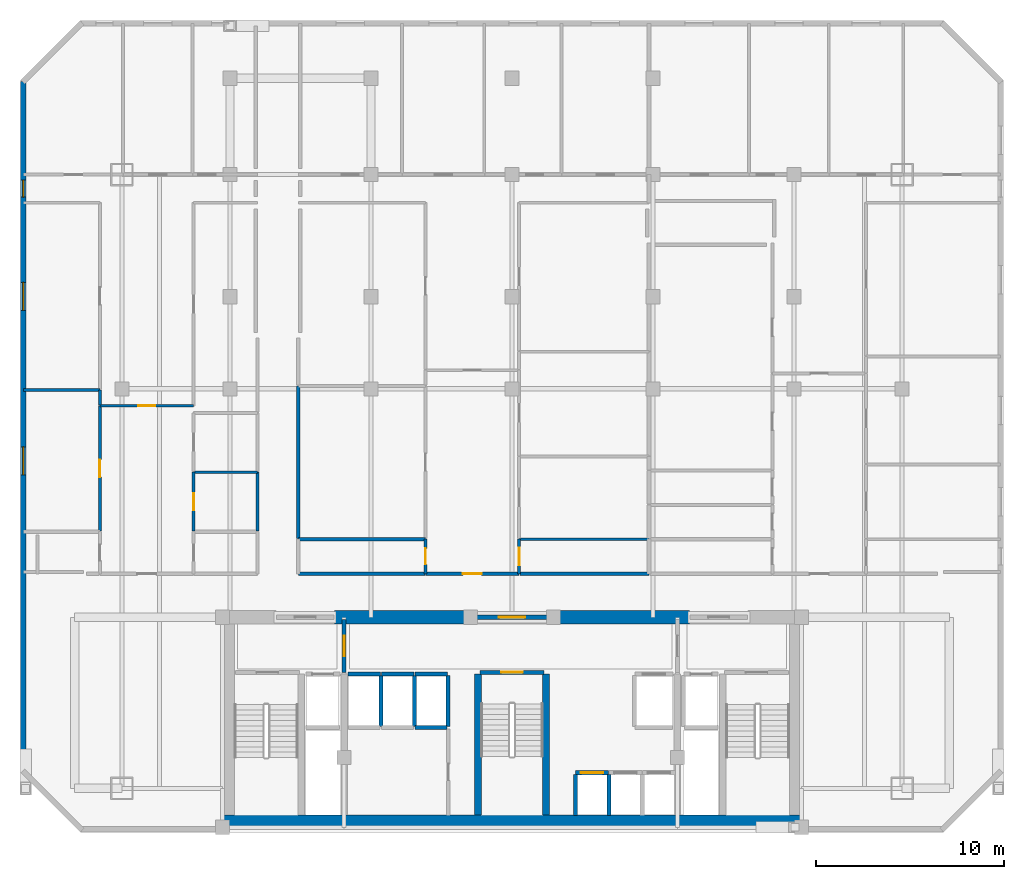
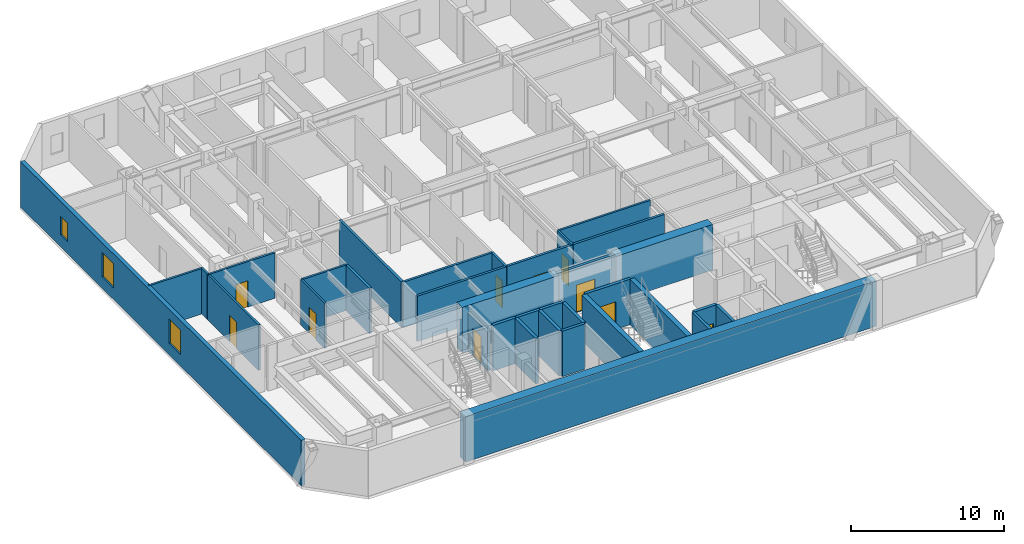
# One storey, part 3 of 9: 34 walls, 10 doors, 3 windows, 13 openings.
"""IFC4 building model written with IfcOpenShell, lengths in metres."""

import ifcopenshell
import ifcopenshell.guid

model = None  # the IFC model being written
_history = None  # IfcOwnerHistory: only IFC2X3 demands one
_inside = {}  # id of a spatial element -> (the spatial element, [elements in it])
_under = {}  # id of a project, library or spatial element -> (it, [spatial elements below it])
_declared = {}  # id of a project -> (the project, [libraries it declares])
_typed = {}  # id of a type object -> (the type object, [elements of that type])
_made_of = {}  # id of a material, layer set ... -> (it, [elements and type objects made of it])


def new_model(schema):
    """Start an empty IFC model of exactly this schema.

    Asked for "IFC4X3", IfcOpenShell would pick the latest addendum, in which some entities
    have other attributes; the version numbers below select the first issue.
    IFC2X3 requires an IfcOwnerHistory on every rooted entity: one is made here for all.
    """
    global model, _history
    if schema == "IFC4X3":
        model = ifcopenshell.file(schema_version=(4, 3, 0, 0))
    else:
        model = ifcopenshell.file(schema=schema)
    _inside.clear()
    _under.clear()
    _declared.clear()
    _typed.clear()
    _made_of.clear()
    _history = None
    if model.schema == "IFC2X3":
        org = make("IfcOrganization", Name="unknown")
        user = make(
            "IfcPersonAndOrganization",
            ThePerson=make("IfcPerson", FamilyName="unknown"),
            TheOrganization=org,
        )
        app = make(
            "IfcApplication",
            ApplicationDeveloper=org,
            Version="unknown",
            ApplicationFullName="unknown",
            ApplicationIdentifier="unknown",
        )
        _history = make(
            "IfcOwnerHistory",
            OwningUser=user,
            OwningApplication=app,
            ChangeAction="ADDED",
            CreationDate=0,
        )
    return model


def make(cls, **values):
    """One entity of the class cls with the attributes given. An attribute that is None is left unset."""
    return model.create_entity(
        cls, **{name: value for name, value in values.items() if value is not None}
    )


def rooted(cls, **values):
    """An entity with a GlobalId (a new one), such as an element, a storey or a relation."""
    return make(cls, GlobalId=ifcopenshell.guid.new(), OwnerHistory=_history, **values)


def si_unit(unit_type, name, prefix=None):
    """IfcSIUnit, for example si_unit("LENGTHUNIT", "METRE", prefix="MILLI")."""
    return make("IfcSIUnit", UnitType=unit_type, Prefix=prefix, Name=name)


def assignment(units):
    """IfcUnitAssignment: the units of a project."""
    return None if units is None else make("IfcUnitAssignment", Units=units)


def point(xyz):
    """IfcCartesianPoint."""
    return None if xyz is None else make("IfcCartesianPoint", Coordinates=xyz)


def direction(xyz):
    """IfcDirection."""
    return None if xyz is None else make("IfcDirection", DirectionRatios=xyz)


def frame(location, z_axis=None, x_axis=None):
    """IfcAxis2Placement3D, a coordinate frame: its origin and axes. An axis left out is left unset."""
    return make(
        "IfcAxis2Placement3D",
        Location=point(location),
        Axis=direction(z_axis),
        RefDirection=direction(x_axis),
    )


def frame_2d(location, x_axis=None):
    """IfcAxis2Placement2D, a coordinate frame in the plane: its origin and x axis."""
    return make(
        "IfcAxis2Placement2D", Location=point(location), RefDirection=direction(x_axis)
    )


def origin():
    """The frame at (0, 0, 0) with its axes left unset."""
    return frame((0.0, 0.0, 0.0))


def place(relative_to, where):
    """IfcLocalPlacement: puts the frame where relative to a parent placement (None: the world)."""
    return make(
        "IfcLocalPlacement", PlacementRelTo=relative_to, RelativePlacement=where
    )


def context(
    kind, dimensions, precision=None, world=None, true_north=None, identifier=None
):
    """IfcGeometricRepresentationContext, for example the 3D "Model" context."""
    return make(
        "IfcGeometricRepresentationContext",
        ContextIdentifier=identifier,
        ContextType=kind,
        CoordinateSpaceDimension=dimensions,
        Precision=precision,
        WorldCoordinateSystem=world,
        TrueNorth=true_north,
    )


def subcontext(parent, identifier, kind, view, scale=None):
    """IfcGeometricRepresentationSubContext, for example "Body" below "Model"."""
    return make(
        "IfcGeometricRepresentationSubContext",
        ContextIdentifier=identifier,
        ContextType=kind,
        ParentContext=parent,
        TargetScale=scale,
        TargetView=view,
    )


def project(units=None, contexts=None):
    """IfcProject with its units and contexts."""
    return rooted(
        "IfcProject",
        Name="project",
        RepresentationContexts=contexts,
        UnitsInContext=assignment(units),
    )


def spatial(cls, under=None, at=None, **own):
    """A site, building, storey or space (cls), placed at a placement, below another one or the project."""
    s = rooted(cls, ObjectPlacement=at, **own)
    if under is not None:
        _under.setdefault(under.id(), (under, []))[1].append(s)
    return s


def profile(cls, at=None, kind="AREA", **sizes):
    """A parametric profile (cls). Its sizes go by their IFC names, for example OverallWidth=200.0."""
    return make(cls, ProfileType=kind, Position=at, **sizes)


def rectangle(**sizes):
    """IfcRectangleProfileDef."""
    return profile("IfcRectangleProfileDef", **sizes)


def extrude(swept, where, along, depth):
    """IfcExtrudedAreaSolid: the profile swept, set in the frame where, extruded along a direction by depth."""
    return make(
        "IfcExtrudedAreaSolid",
        SweptArea=swept,
        Position=where,
        ExtrudedDirection=direction(along),
        Depth=depth,
    )


def shape(context_of_items, identifier, shape_type, items):
    """IfcShapeRepresentation: the items that make up one representation, for example the "Body"."""
    return make(
        "IfcShapeRepresentation",
        ContextOfItems=context_of_items,
        RepresentationIdentifier=identifier,
        RepresentationType=shape_type,
        Items=items,
    )


def material(Name=None, Category=None):
    """IfcMaterial."""
    return make("IfcMaterial", Name=Name, Category=Category)


def layer(
    of_material, thickness, ventilated=None, Name=None, Category=None, Priority=None
):
    """IfcMaterialLayer: one layer of a wall or slab, of a material (None: an air gap)."""
    return make(
        "IfcMaterialLayer",
        Material=of_material,
        LayerThickness=thickness,
        IsVentilated=ventilated,
        Name=Name,
        Category=Category,
        Priority=Priority,
    )


def layer_set(layers, Name=None):
    """IfcMaterialLayerSet."""
    return make("IfcMaterialLayerSet", MaterialLayers=layers, LayerSetName=Name)


def made_of(thing, what):
    """Note that an element or type object is made of a material, layer set ...; save() writes the relation."""
    if what is not None:
        _made_of.setdefault(what.id(), (what, []))[1].append(thing)
    return thing


def type_object(cls, material=None, **own):
    """A type object (cls), such as IfcWallType, which elements share."""
    return made_of(rooted(cls, **own), material)


def element(
    cls,
    number,
    at=None,
    inside=None,
    cuts=None,
    type_object=None,
    material=None,
    context=None,
    identifier="Body",
    shape_type=None,
    held_by="IfcProductDefinitionShape",
    body=None,
    shapes=None,
    **own,
):
    """One element of the class cls, such as IfcWall. Its Tag is "e" and its number.

    at: its placement. inside: the storey or other place that contains it. cuts: it is an
    opening in that element (IfcRelVoidsElement). A single representation is given by context,
    identifier, shape_type and body (its items); several are given by shapes. held_by: the class
    of the entity that holds the representations. save() writes the other relations.
    """
    e = rooted(cls, Tag="e%d" % number, ObjectPlacement=at, **own)
    if body is not None:
        shapes = [shape(context, identifier, shape_type, body)]
    if shapes is not None:
        e.Representation = make(held_by, Representations=shapes)
    if inside is not None:
        _inside.setdefault(inside.id(), (inside, []))[1].append(e)
    if cuts is not None:
        rooted(
            "IfcRelVoidsElement", RelatingBuildingElement=cuts, RelatedOpeningElement=e
        )
    if type_object is not None:
        _typed.setdefault(type_object.id(), (type_object, []))[1].append(e)
    return made_of(e, material)


def fill(opening, filler):
    """IfcRelFillsElement: the door or window that sits in an opening."""
    return rooted(
        "IfcRelFillsElement",
        RelatingOpeningElement=opening,
        RelatedBuildingElement=filler,
    )


def aggregate(whole, parts):
    """IfcRelAggregates: a whole, such as a stair, and the parts it consists of."""
    return rooted("IfcRelAggregates", RelatingObject=whole, RelatedObjects=parts)


def save(model, path):
    """Write the relations noted so far, then the file.

    IfcRelAggregates (storeys below a building ...), IfcRelContainedInSpatialStructure (elements
    in a storey), IfcRelDefinesByType, IfcRelAssociatesMaterial and IfcRelDeclares: one each for
    every whole, place, type object, material and project.
    """
    for whole, parts in _under.values():
        aggregate(whole, parts)
    for where, things in _inside.values():
        rooted(
            "IfcRelContainedInSpatialStructure",
            RelatedElements=things,
            RelatingStructure=where,
        )
    for kind, things in _typed.values():
        rooted("IfcRelDefinesByType", RelatedObjects=things, RelatingType=kind)
    for what, things in _made_of.values():
        rooted("IfcRelAssociatesMaterial", RelatedObjects=things, RelatingMaterial=what)
    for by, libraries in _declared.values():
        rooted("IfcRelDeclares", RelatingContext=by, RelatedDefinitions=libraries)
    model.write(path)


model = new_model("IFC4")

# Units and contexts
model_context = context("Model", 3, precision=1e-05, world=origin(), true_north=direction((0.0, 1.0)))
body_context = subcontext(model_context, "Body", "Model", "MODEL_VIEW")
ifc_project = project(units=[si_unit("LENGTHUNIT", "METRE"), si_unit("AREAUNIT", "SQUARE_METRE"), si_unit("VOLUMEUNIT", "CUBIC_METRE"), si_unit("PLANEANGLEUNIT", "RADIAN"), si_unit("MASSUNIT", "GRAM", prefix="KILO")], contexts=[model_context])

# Site, building, storey
site_placement = place(None, origin())
site = spatial("IfcSite", under=ifc_project, at=site_placement, CompositionType="ELEMENT")
building_placement = place(site_placement, origin())
building = spatial("IfcBuilding", under=site, at=building_placement, Name="Ventersveld Concourse Tower", CompositionType="ELEMENT")
storey_placement = place(building_placement, frame((0.0, 0.0, 152.89990234375)))
storey = spatial("IfcBuildingStorey", under=building, at=storey_placement, Name="L37", CompositionType="ELEMENT", Elevation=152.89990234375)

# Walls
ifc_material_1 = material(Name="Concrete C60/75", Category="concrete")
ifc_layer_1 = layer(ifc_material_1, 0.35009765625)
ifc_layer_set_1 = layer_set([ifc_layer_1], Name="Concrete C60/75")
wall_type_1 = type_object("IfcWallType", Name="WL-CORE-350L", PredefinedType="SHEAR", material=ifc_layer_set_1)
for number, where, z_axis, x_axis, name in (
    (1, (26.93994140625, 0.919921875, 0.0), (0.0, 0.0, 1.0), (0.0, 1.0, 0.0), "L37 Core Internal Shear Web W-ST3-W"),
    (2, (30.56005859375, 0.919921875, 0.0), (0.0, 0.0, 1.0), (0.0, 1.0, 0.0), "L37 Core Internal Shear Web W-ST3-E"),
):
    element("IfcWall", number, at=place(storey_placement, frame(where, z_axis=z_axis, x_axis=x_axis)), inside=storey, type_object=wall_type_1, Name=name, PredefinedType="SHEAR", context=body_context, shape_type="SweptSolid", body=[
        extrude(rectangle(XDim=7.5, YDim=0.35009765625, at=frame_2d((3.75, 0.0))), origin(), (0.0, 0.0, 1.0), 3.630126953125),
    ])
ifc_layer_2 = layer(ifc_material_1, 0.699951171875)
ifc_layer_set_2 = layer_set([ifc_layer_2], Name="Concrete C60/75")
wall_type_2 = type_object("IfcWallType", Name="WL-CORE-700", PredefinedType="SHEAR", material=ifc_layer_set_2)
wall_1_placement = place(storey_placement, frame((13.25, 0.570068359375, 0.0), z_axis=(0.0, 0.0, 1.0), x_axis=(1.0, 0.0, 0.0)))
element("IfcWall", 3, at=wall_1_placement, inside=storey, type_object=wall_type_2, Name="L37 Rear Core South Shear Wall", PredefinedType="SHEAR", context=body_context, shape_type="SweptSolid", body=[
    extrude(rectangle(XDim=31.0, YDim=0.699951171875, at=frame_2d((15.5, 0.0))), origin(), (0.0, 0.0, 1.0), 3.630126953125),
])
for number, where, z_axis, x_axis, name in (
    (4, (19.300048828125, 11.449951171875, 0.0), (0.0, 0.0, 1.0), (1.0, 0.0, 0.0), "L37 Rear Core North Shear Wall NML"),
    (5, (30.89990234375, 11.449951171875, 0.0), (0.0, 0.0, 1.0), (1.0, 0.0, 0.0), "L37 Rear Core North Shear Wall NMR"),
):
    element("IfcWall", number, at=place(storey_placement, frame(where, z_axis=z_axis, x_axis=x_axis)), inside=storey, type_object=wall_type_2, Name=name, PredefinedType="SHEAR", context=body_context, shape_type="SweptSolid", body=[
        extrude(rectangle(XDim=7.300048828125, YDim=0.699951171875, at=frame_2d((3.64990234375, 0.0))), origin(), (0.0, 0.0, 1.0), 3.630126953125),
    ])
ifc_material_2 = material(Name="Fire-rated autoclaved aerated masonry blockwork", Category="masonry")
ifc_layer_3 = layer(ifc_material_2, 0.179931640625)
ifc_layer_set_3 = layer_set([ifc_layer_3], Name="Fire-rated autoclaved aerated masonry blockwork")
wall_type_3 = type_object("IfcWallType", Name="WL-CORR-180", PredefinedType="PARTITIONING", material=ifc_layer_set_3)
wall_2_placement = place(storey_placement, frame((15.2099609375, 16.03466796875, 0.0), z_axis=(0.0, 0.0, 1.0), x_axis=(0.0, 1.0, 0.0)))
element("IfcWall", 6, at=wall_2_placement, inside=storey, type_object=wall_type_3, Name="L37 Interior Partition SP-L37-COR-SP-L37-37NW-KIT", PredefinedType="PARTITIONING", context=body_context, shape_type="SweptSolid", body=[
    extrude(rectangle(XDim=3.13134765625, YDim=0.179931640625, at=frame_2d((1.565673828125, 0.0))), origin(), (0.0, 0.0, 1.0), 3.630126953125),
])

# Wall, opening, door
wall_3_placement = place(storey_placement, frame((24.144287109375, 13.77001953125, 0.0), z_axis=(0.0, 0.0, 1.0), x_axis=(1.0, 0.0, 0.0)))
wall_3 = element("IfcWall", 7, at=wall_3_placement, inside=storey, type_object=wall_type_3, Name="L37 Interior Partition SP-L37-COR-SP-L37-37N1-FOY", PredefinedType="PARTITIONING", context=body_context, shape_type="SweptSolid", body=[
    extrude(rectangle(XDim=4.989990234375, YDim=0.179931640625, at=frame_2d((2.4951171875, 0.0))), origin(), (0.0, 0.0, 1.0), 3.630126953125),
])
opening_1_placement = place(wall_3_placement, frame((1.9951171875, 0.0, 0.0)))
opening_1 = element("IfcOpeningElement", 8, at=opening_1_placement, cuts=wall_3, Name="Opening FD3", PredefinedType="OPENING", context=body_context, shape_type="SweptSolid", body=[
    extrude(rectangle(XDim=1.0, YDim=2.14990234375, at=frame_2d((0.5, 1.074951171875))), frame((0.0, 0.10009765625, 0.0), z_axis=(0.0, -1.0, 0.0), x_axis=(1.0, 0.0, 0.0)), (0.0, 0.0, 1.0), 0.199951171875),
])
ifc_material_3 = material(Name="Solid-core hardwood veneer timber", Category="wood")
door_type_1 = type_object("IfcDoorType", Name="DR-FLAT-100", OperationType="NOTDEFINED", PredefinedType="DOOR", material=ifc_material_3)
door_1_placement = place(opening_1_placement, origin())
door_1 = element("IfcDoor", 9, at=door_1_placement, inside=storey, type_object=door_type_1, Name="L37 Interior Door SP-L37-COR to SP-L37-37N1-FOY (FD-L37-1811)", OperationType="SINGLE_SWING_LEFT", OverallHeight=2.14990234375, OverallWidth=1.0, PredefinedType="DOOR", context=body_context, shape_type="SweptSolid", body=[
    extrude(rectangle(XDim=1.0, YDim=2.14990234375, at=frame_2d((0.5, 1.074951171875))), frame((0.0, 0.02490234375, 0.0), z_axis=(0.0, -1.0, 0.0), x_axis=(1.0, 0.0, 0.0)), (0.0, 0.0, 1.0), 0.050048828125),
])
fill(opening_1, door_1)

# Walls
wall_4_placement = place(storey_placement, frame((17.385009765625, 13.77001953125, 0.0), z_axis=(0.0, 0.0, 1.0), x_axis=(1.0, 0.0, 0.0)))
element("IfcWall", 10, at=wall_4_placement, inside=storey, type_object=wall_type_3, Name="L37 Interior Partition SP-L37-COR-SP-L37-37N1-BATH", PredefinedType="PARTITIONING", context=body_context, shape_type="SweptSolid", body=[
    extrude(rectangle(XDim=6.729248046875, YDim=0.179931640625, at=frame_2d((3.36474609375, 0.0))), origin(), (0.0, 0.0, 1.0), 3.630126953125),
])
wall_5_placement = place(storey_placement, frame((17.389892578125, 15.635009765625, 0.0), z_axis=(0.0, 0.0, 1.0), x_axis=(0.0, 1.0, 0.0)))
element("IfcWall", 11, at=wall_5_placement, inside=storey, type_object=wall_type_3, Name="L37 Interior Partition SP-L37-COR-SP-L37-37N1-OFFL0", PredefinedType="PARTITIONING", context=body_context, shape_type="SweptSolid", body=[
    extrude(rectangle(XDim=8.127685546875, YDim=0.179931640625, at=frame_2d((4.06396484375, 0.0))), origin(), (0.0, 0.0, 1.0), 3.630126953125),
])
wall_6_placement = place(storey_placement, frame((29.164306640625, 13.77001953125, 0.0), z_axis=(0.0, 0.0, 1.0), x_axis=(1.0, 0.0, 0.0)))
element("IfcWall", 12, at=wall_6_placement, inside=storey, type_object=wall_type_3, Name="L37 Interior Partition SP-L37-COR-SP-L37-37N1-KIT", PredefinedType="PARTITIONING", context=body_context, shape_type="SweptSolid", body=[
    extrude(rectangle(XDim=6.883056640625, YDim=0.179931640625, at=frame_2d((3.44140625, 0.0))), origin(), (0.0, 0.0, 1.0), 3.630126953125),
])
ifc_layer_4 = layer(ifc_material_2, 0.219970703125)
ifc_layer_set_4 = layer_set([ifc_layer_4], Name="Fire-rated autoclaved aerated masonry blockwork")
wall_type_4 = type_object("IfcWallType", Name="WL-HOIST-220", PredefinedType="SOLIDWALL", material=ifc_layer_set_4)
for number, where, z_axis, x_axis, name in (
    (13, (32.1201171875, 0.89990234375, 0.0), (0.0, 0.0, 1.0), (0.0, 1.0, 0.0), "L37 Lift Hoistway Side Wall PM-01W"),
    (14, (33.89990234375, 0.89990234375, 0.0), (0.0, 0.0, 1.0), (0.0, 1.0, 0.0), "L37 Lift Hoistway Side Wall PM-01E"),
):
    element("IfcWall", number, at=place(storey_placement, frame(where, z_axis=z_axis, x_axis=x_axis)), inside=storey, type_object=wall_type_4, Name=name, PredefinedType="SOLIDWALL", context=body_context, shape_type="SweptSolid", body=[
        extrude(rectangle(XDim=2.2001953125, YDim=0.219970703125, at=frame_2d((1.10009765625, 0.0))), origin(), (0.0, 0.0, 1.0), 3.630126953125),
    ])

# Wall, opening, door
wall_7_placement = place(storey_placement, frame((32.139892578125, 3.179931640625, 0.0), z_axis=(0.0, 0.0, 1.0), x_axis=(1.0, 0.0, 0.0)))
wall_7 = element("IfcWall", 15, at=wall_7_placement, inside=storey, type_object=wall_type_4, Name="L37 Lift Hoistway Front Wall PM-01", PredefinedType="SOLIDWALL", context=body_context, shape_type="SweptSolid", body=[
    extrude(rectangle(XDim=1.739990234375, YDim=0.219970703125, at=frame_2d((0.8701171875, 0.0))), origin(), (0.0, 0.0, 1.0), 3.630126953125),
])
opening_2_placement = place(wall_7_placement, frame((0.280029296875, 0.0, 0.0)))
opening_2 = element("IfcOpeningElement", 16, at=opening_2_placement, cuts=wall_7, Name="Opening LD2", PredefinedType="OPENING", context=body_context, shape_type="SweptSolid", body=[
    extrude(rectangle(XDim=1.179931640625, YDim=2.199951171875, at=frame_2d((0.58984375, 1.10009765625))), frame((0.0, 0.1201171875, 0.0), z_axis=(0.0, -1.0, 0.0), x_axis=(1.0, 0.0, 0.0)), (0.0, 0.0, 1.0), 0.239990234375),
])
ifc_material_4 = material(Name="Brushed stainless steel 316", Category="steel")
door_type_2 = type_object("IfcDoorType", Name="LD-PAX-118", OperationType="SLIDING_TO_LEFT", PredefinedType="DOOR", material=ifc_material_4)
door_2_placement = place(opening_2_placement, origin())
door_2 = element("IfcDoor", 17, at=door_2_placement, inside=storey, type_object=door_type_2, Name="L37 Lift landing door PM-01 (LD-L37-PM-01)", OperationType="SLIDING_TO_RIGHT", OverallHeight=2.199951171875, OverallWidth=1.179931640625, PredefinedType="DOOR", context=body_context, shape_type="SweptSolid", body=[
    extrude(rectangle(XDim=1.179931640625, YDim=2.199951171875, at=frame_2d((0.58984375, 1.10009765625))), frame((0.0, 0.02490234375, 0.0), z_axis=(0.0, -1.0, 0.0), x_axis=(1.0, 0.0, 0.0)), (0.0, 0.0, 1.0), 0.050048828125),
])
fill(opening_2, door_2)

# Walls
wall_8_placement = place(storey_placement, frame((21.780029296875, 5.64990234375, 0.0), z_axis=(0.0, 0.0, 1.0), x_axis=(0.0, 1.0, 0.0)))
element("IfcWall", 18, at=wall_8_placement, inside=storey, type_object=wall_type_4, Name="L37 Lift Hoistway Side Wall PH-01E", PredefinedType="SOLIDWALL", context=body_context, shape_type="SweptSolid", body=[
    extrude(rectangle(XDim=2.7001953125, YDim=0.219970703125, at=frame_2d((1.35009765625, 0.0))), origin(), (0.0, 0.0, 1.0), 3.630126953125),
])
wall_9_placement = place(storey_placement, frame((20.02001953125, 8.429931640625, 0.0), z_axis=(0.0, 0.0, 1.0), x_axis=(1.0, 0.0, 0.0)))
element("IfcWall", 19, at=wall_9_placement, inside=storey, type_object=wall_type_4, Name="L37 Lift Hoistway Front Wall PH-01", PredefinedType="SOLIDWALL", context=body_context, shape_type="SweptSolid", body=[
    extrude(rectangle(XDim=1.739990234375, YDim=0.219970703125, at=frame_2d((0.8701171875, 0.0))), origin(), (0.0, 0.0, 1.0), 3.630126953125),
])
wall_10_placement = place(storey_placement, frame((23.56005859375, 5.64990234375, 0.0), z_axis=(0.0, 0.0, 1.0), x_axis=(0.0, 1.0, 0.0)))
element("IfcWall", 20, at=wall_10_placement, inside=storey, type_object=wall_type_4, Name="L37 Lift Hoistway Side Wall PH-02E", PredefinedType="SOLIDWALL", context=body_context, shape_type="SweptSolid", body=[
    extrude(rectangle(XDim=2.7001953125, YDim=0.219970703125, at=frame_2d((1.35009765625, 0.0))), origin(), (0.0, 0.0, 1.0), 3.630126953125),
])
wall_11_placement = place(storey_placement, frame((21.800048828125, 8.429931640625, 0.0), z_axis=(0.0, 0.0, 1.0), x_axis=(1.0, 0.0, 0.0)))
element("IfcWall", 21, at=wall_11_placement, inside=storey, type_object=wall_type_4, Name="L37 Lift Hoistway Front Wall PH-02", PredefinedType="SOLIDWALL", context=body_context, shape_type="SweptSolid", body=[
    extrude(rectangle(XDim=1.739990234375, YDim=0.219970703125, at=frame_2d((0.8701171875, 0.0))), origin(), (0.0, 0.0, 1.0), 3.630126953125),
])
wall_12_placement = place(storey_placement, frame((23.60009765625, 5.590087890625, 0.0), z_axis=(0.0, 0.0, 1.0), x_axis=(1.0, 0.0, 0.0)))
element("IfcWall", 22, at=wall_12_placement, inside=storey, type_object=wall_type_4, Name="L37 Lift Hoistway Back Wall PH-03", PredefinedType="SOLIDWALL", context=body_context, shape_type="SweptSolid", body=[
    extrude(rectangle(XDim=1.699951171875, YDim=0.219970703125, at=frame_2d((0.85009765625, 0.0))), origin(), (0.0, 0.0, 1.0), 3.630126953125),
])
wall_13_placement = place(storey_placement, frame((25.340087890625, 5.64990234375, 0.0), z_axis=(0.0, 0.0, 1.0), x_axis=(0.0, 1.0, 0.0)))
element("IfcWall", 23, at=wall_13_placement, inside=storey, type_object=wall_type_4, Name="L37 Lift Hoistway Side Wall PH-03E", PredefinedType="SOLIDWALL", context=body_context, shape_type="SweptSolid", body=[
    extrude(rectangle(XDim=2.7001953125, YDim=0.219970703125, at=frame_2d((1.35009765625, 0.0))), origin(), (0.0, 0.0, 1.0), 3.630126953125),
])
wall_14_placement = place(storey_placement, frame((23.580078125, 8.429931640625, 0.0), z_axis=(0.0, 0.0, 1.0), x_axis=(1.0, 0.0, 0.0)))
element("IfcWall", 24, at=wall_14_placement, inside=storey, type_object=wall_type_4, Name="L37 Lift Hoistway Front Wall PH-03", PredefinedType="SOLIDWALL", context=body_context, shape_type="SweptSolid", body=[
    extrude(rectangle(XDim=1.739990234375, YDim=0.219970703125, at=frame_2d((0.8701171875, 0.0))), origin(), (0.0, 0.0, 1.0), 3.630126953125),
])

# Wall, opening, door
wall_15_placement = place(storey_placement, frame((27.0400390625, 8.52001953125, 0.0), z_axis=(0.0, 0.0, 1.0), x_axis=(1.0, 0.0, 0.0)))
wall_15 = element("IfcWall", 25, at=wall_15_placement, inside=storey, type_object=wall_type_4, Name="L37 Escape Stair ST03 Fire Wall", PredefinedType="SOLIDWALL", context=body_context, shape_type="SweptSolid", body=[
    extrude(rectangle(XDim=3.419921875, YDim=0.219970703125, at=frame_2d((1.7099609375, 0.0))), origin(), (0.0, 0.0, 1.0), 3.630126953125),
])
opening_3_placement = place(wall_15_placement, frame((1.135009765625, 0.0, 0.0)))
opening_3 = element("IfcOpeningElement", 26, at=opening_3_placement, cuts=wall_15, Name="Opening FD1", PredefinedType="OPENING", context=body_context, shape_type="SweptSolid", body=[
    extrude(rectangle(XDim=1.14990234375, YDim=2.199951171875, at=frame_2d((0.574951171875, 1.10009765625))), frame((0.0, 0.1201171875, 0.0), z_axis=(0.0, -1.0, 0.0), x_axis=(1.0, 0.0, 0.0)), (0.0, 0.0, 1.0), 0.239990234375),
])
ifc_material_5 = material(Name="Galvanised painted steel", Category="steel")
door_type_3 = type_object("IfcDoorType", Name="DR-STAIR-115", OperationType="NOTDEFINED", PredefinedType="DOOR", material=ifc_material_5)
door_3_placement = place(opening_3_placement, origin())
door_3 = element("IfcDoor", 27, at=door_3_placement, inside=storey, type_object=door_type_3, Name="L37 Escape Stair Door ST03 (SD-L37-1803)", OperationType="SINGLE_SWING_LEFT", OverallHeight=2.199951171875, OverallWidth=1.14990234375, PredefinedType="DOOR", context=body_context, shape_type="SweptSolid", body=[
    extrude(rectangle(XDim=1.14990234375, YDim=2.199951171875, at=frame_2d((0.574951171875, 1.10009765625))), frame((0.0, 0.02490234375, 0.0), z_axis=(0.0, -1.0, 0.0), x_axis=(1.0, 0.0, 0.0)), (0.0, 0.0, 1.0), 0.050048828125),
])
fill(opening_3, door_3)

wall_16_placement = place(storey_placement, frame((19.820068359375, 8.52001953125, 0.0), z_axis=(0.0, 0.0, 1.0), x_axis=(0.0, 1.0, 0.0)))
wall_16 = element("IfcWall", 28, at=wall_16_placement, inside=storey, type_object=wall_type_4, Name="L37 Firefighting Lobby Smoke-Stop Wall FFLW-SEP", PredefinedType="SOLIDWALL", context=body_context, shape_type="SweptSolid", body=[
    extrude(rectangle(XDim=2.800048828125, YDim=0.219970703125, at=frame_2d((1.39990234375, 0.0))), origin(), (0.0, 0.0, 1.0), 3.085693359375),
])
opening_4_placement = place(wall_16_placement, frame((0.85009765625, 0.0, 0.0)))
opening_4 = element("IfcOpeningElement", 29, at=opening_4_placement, cuts=wall_16, Name="Opening FD2", PredefinedType="OPENING", context=body_context, shape_type="SweptSolid", body=[
    extrude(rectangle(XDim=1.10009765625, YDim=2.199951171875, at=frame_2d((0.550048828125, 1.10009765625))), frame((0.0, 0.1201171875, 0.0), z_axis=(0.0, -1.0, 0.0), x_axis=(1.0, 0.0, 0.0)), (0.0, 0.0, 1.0), 0.239990234375),
])
door_type_4 = type_object("IfcDoorType", Name="DR-FFL-110", OperationType="NOTDEFINED", PredefinedType="DOOR", material=ifc_material_5)
door_4_placement = place(opening_4_placement, origin())
door_4 = element("IfcDoor", 30, at=door_4_placement, inside=storey, type_object=door_type_4, Name="L37 Firefighting Lobby Door FFLW-SEP (FD-L37-1804)", OperationType="SINGLE_SWING_LEFT", OverallHeight=2.199951171875, OverallWidth=1.10009765625, PredefinedType="DOOR", context=body_context, shape_type="SweptSolid", body=[
    extrude(rectangle(XDim=1.10009765625, YDim=2.199951171875, at=frame_2d((0.550048828125, 1.10009765625))), frame((0.0, 0.02490234375, 0.0), z_axis=(0.0, -1.0, 0.0), x_axis=(1.0, 0.0, 0.0)), (0.0, 0.0, 1.0), 0.050048828125),
])
fill(opening_4, door_4)

wall_17_placement = place(storey_placement, frame((26.6298828125, 11.449951171875, 0.0), z_axis=(0.0, 0.0, 1.0), x_axis=(1.0, 0.0, 0.0)))
wall_17 = element("IfcWall", 31, at=wall_17_placement, inside=storey, type_object=wall_type_4, Name="L37 Core North Fire Portal PLOB-OUT", PredefinedType="SOLIDWALL", context=body_context, shape_type="SweptSolid", body=[
    extrude(rectangle(XDim=4.240234375, YDim=0.219970703125, at=frame_2d((2.1201171875, 0.0))), origin(), (0.0, 0.0, 1.0), 3.630126953125),
])
opening_5_placement = place(wall_17_placement, frame((1.419921875, 0.0, 0.0)))
opening_5 = element("IfcOpeningElement", 32, at=opening_5_placement, cuts=wall_17, Name="Opening FD4", PredefinedType="OPENING", context=body_context, shape_type="SweptSolid", body=[
    extrude(rectangle(XDim=1.39990234375, YDim=2.199951171875, at=frame_2d((0.699951171875, 1.10009765625))), frame((0.0, 0.1201171875, 0.0), z_axis=(0.0, -1.0, 0.0), x_axis=(1.0, 0.0, 0.0)), (0.0, 0.0, 1.0), 0.239990234375),
])
door_type_5 = type_object("IfcDoorType", Name="DR-PLANT-140", OperationType="DOUBLE_DOOR_SINGLE_SWING", PredefinedType="DOOR", material=ifc_material_5)
door_5_placement = place(opening_5_placement, origin())
door_5 = element("IfcDoor", 33, at=door_5_placement, inside=storey, type_object=door_type_5, Name="L37 Core Lobby Fire Door PLOB-OUT (FD-L37-1807)", OperationType="DOUBLE_DOOR_SINGLE_SWING", OverallHeight=2.199951171875, OverallWidth=1.39990234375, PredefinedType="DOOR", context=body_context, shape_type="SweptSolid", body=[
    extrude(rectangle(XDim=1.39990234375, YDim=2.199951171875, at=frame_2d((0.699951171875, 1.10009765625))), frame((0.0, 0.02490234375, 0.0), z_axis=(0.0, -1.0, 0.0), x_axis=(1.0, 0.0, 0.0)), (0.0, 0.0, 1.0), 0.050048828125),
])
fill(opening_5, door_5)

ifc_material_6 = material(Name="Autoclaved aerated masonry blockwork", Category="masonry")
ifc_layer_5 = layer(ifc_material_6, 0.14990234375)
ifc_layer_set_5 = layer_set([ifc_layer_5], Name="Autoclaved aerated masonry blockwork")
wall_type_5 = type_object("IfcWallType", Name="WL-INT-150", PredefinedType="PARTITIONING", material=ifc_layer_set_5)
wall_18_placement = place(storey_placement, frame((6.824951171875, 22.703369140625, 0.0), z_axis=(0.0, 0.0, 1.0), x_axis=(1.0, 0.0, 0.0)))
wall_18 = element("IfcWall", 34, at=wall_18_placement, inside=storey, type_object=wall_type_5, Name="L37 Interior Partition SP-L37-37NW-FOY-SP-L37-37NW-LIV", PredefinedType="PARTITIONING", context=body_context, shape_type="SweptSolid", body=[
    extrude(rectangle(XDim=4.989990234375, YDim=0.14990234375, at=frame_2d((2.4951171875, 0.0))), origin(), (0.0, 0.0, 1.0), 3.630126953125),
])
opening_6_placement = place(wall_18_placement, frame((2.034912109375, 0.0, 0.0)))
opening_6 = element("IfcOpeningElement", 35, at=opening_6_placement, cuts=wall_18, Name="Opening ID1", PredefinedType="OPENING", context=body_context, shape_type="SweptSolid", body=[
    extrude(rectangle(XDim=0.919921875, YDim=2.10009765625, at=frame_2d((0.4599609375, 1.050048828125))), frame((0.0, 0.0849609375, 0.0), z_axis=(0.0, -1.0, 0.0), x_axis=(1.0, 0.0, 0.0)), (0.0, 0.0, 1.0), 0.169921875),
])
door_type_6 = type_object("IfcDoorType", Name="DR-ROOM-092", OperationType="NOTDEFINED", PredefinedType="DOOR", material=ifc_material_3)
door_6_placement = place(opening_6_placement, origin())
door_6 = element("IfcDoor", 36, at=door_6_placement, inside=storey, type_object=door_type_6, Name="L37 Interior Door SP-L37-37NW-FOY to SP-L37-37NW-LIV (D-L37-1813)", OperationType="SINGLE_SWING_LEFT", OverallHeight=2.10009765625, OverallWidth=0.919921875, PredefinedType="DOOR", context=body_context, shape_type="SweptSolid", body=[
    extrude(rectangle(XDim=0.919921875, YDim=2.10009765625, at=frame_2d((0.4599609375, 1.050048828125))), frame((0.0, 0.02490234375, 0.0), z_axis=(0.0, -1.0, 0.0), x_axis=(1.0, 0.0, 0.0)), (0.0, 0.0, 1.0), 0.050048828125),
])
fill(opening_6, door_6)

wall_19_placement = place(storey_placement, frame((6.830078125, 16.03466796875, 0.0), z_axis=(0.0, 0.0, 1.0), x_axis=(0.0, 1.0, 0.0)))
wall_19 = element("IfcWall", 37, at=wall_19_placement, inside=storey, type_object=wall_type_5, Name="L37 Interior Partition SP-L37-37NW-FOY-SP-L37-37NW-OFFL0", PredefinedType="PARTITIONING", context=body_context, shape_type="SweptSolid", body=[
    extrude(rectangle(XDim=6.673583984375, YDim=0.14990234375, at=frame_2d((3.3369140625, 0.0))), origin(), (0.0, 0.0, 1.0), 3.630126953125),
])
opening_7_placement = place(wall_19_placement, frame((2.876708984375, 0.0, 0.0)))
opening_7 = element("IfcOpeningElement", 38, at=opening_7_placement, cuts=wall_19, Name="Opening ID1", PredefinedType="OPENING", context=body_context, shape_type="SweptSolid", body=[
    extrude(rectangle(XDim=0.919921875, YDim=2.10009765625, at=frame_2d((0.4599609375, 1.050048828125))), frame((0.0, 0.0849609375, 0.0), z_axis=(0.0, -1.0, 0.0), x_axis=(1.0, 0.0, 0.0)), (0.0, 0.0, 1.0), 0.169921875),
])
door_7_placement = place(opening_7_placement, origin())
door_7 = element("IfcDoor", 39, at=door_7_placement, inside=storey, type_object=door_type_6, Name="L37 Interior Door SP-L37-37NW-FOY to SP-L37-37NW-OFFL0 (D-L37-1815)", OperationType="SINGLE_SWING_LEFT", OverallHeight=2.10009765625, OverallWidth=0.919921875, PredefinedType="DOOR", context=body_context, shape_type="SweptSolid", body=[
    extrude(rectangle(XDim=0.919921875, YDim=2.10009765625, at=frame_2d((0.4599609375, 1.050048828125))), frame((0.0, 0.02490234375, 0.0), z_axis=(0.0, -1.0, 0.0), x_axis=(1.0, 0.0, 0.0)), (0.0, 0.0, 1.0), 0.050048828125),
])
fill(opening_7, door_7)

wall_20_placement = place(storey_placement, frame((11.81005859375, 16.03466796875, 0.0), z_axis=(0.0, 0.0, 1.0), x_axis=(0.0, 1.0, 0.0)))
wall_20 = element("IfcWall", 40, at=wall_20_placement, inside=storey, type_object=wall_type_5, Name="L37 Interior Partition SP-L37-37NW-FOY-SP-L37-37NW-KIT", PredefinedType="PARTITIONING", context=body_context, shape_type="SweptSolid", body=[
    extrude(rectangle(XDim=3.13134765625, YDim=0.14990234375, at=frame_2d((1.565673828125, 0.0))), origin(), (0.0, 0.0, 1.0), 3.630126953125),
])
opening_8_placement = place(wall_20_placement, frame((1.105712890625, 0.0, 0.0)))
opening_8 = element("IfcOpeningElement", 41, at=opening_8_placement, cuts=wall_20, Name="Opening ID1", PredefinedType="OPENING", context=body_context, shape_type="SweptSolid", body=[
    extrude(rectangle(XDim=0.919921875, YDim=2.10009765625, at=frame_2d((0.4599609375, 1.050048828125))), frame((0.0, 0.0849609375, 0.0), z_axis=(0.0, -1.0, 0.0), x_axis=(1.0, 0.0, 0.0)), (0.0, 0.0, 1.0), 0.169921875),
])
door_8_placement = place(opening_8_placement, origin())
door_8 = element("IfcDoor", 42, at=door_8_placement, inside=storey, type_object=door_type_6, Name="L37 Interior Door SP-L37-37NW-FOY to SP-L37-37NW-KIT (D-L37-1817)", OperationType="SINGLE_SWING_LEFT", OverallHeight=2.10009765625, OverallWidth=0.919921875, PredefinedType="DOOR", context=body_context, shape_type="SweptSolid", body=[
    extrude(rectangle(XDim=0.919921875, YDim=2.10009765625, at=frame_2d((0.4599609375, 1.050048828125))), frame((0.0, 0.02490234375, 0.0), z_axis=(0.0, -1.0, 0.0), x_axis=(1.0, 0.0, 0.0)), (0.0, 0.0, 1.0), 0.050048828125),
])
fill(opening_8, door_8)

# Walls
wall_21_placement = place(storey_placement, frame((6.830078125, 22.73828125, 0.0), z_axis=(0.0, 0.0, 1.0), x_axis=(0.0, 1.0, 0.0)))
element("IfcWall", 43, at=wall_21_placement, inside=storey, type_object=wall_type_5, Name="L37 Interior Partition SP-L37-37NW-LIV-SP-L37-37NW-OFFL0", PredefinedType="PARTITIONING", context=body_context, shape_type="SweptSolid", body=[
    extrude(rectangle(XDim=0.805908203125, YDim=0.14990234375, at=frame_2d((0.40283203125, 0.0))), origin(), (0.0, 0.0, 1.0), 3.630126953125),
])
wall_22_placement = place(storey_placement, frame((2.7724609375, 23.539306640625, 0.0), z_axis=(0.0, 0.0, 1.0), x_axis=(1.0, 0.0, 0.0)))
element("IfcWall", 44, at=wall_22_placement, inside=storey, type_object=wall_type_5, Name="L37 Interior Partition SP-L37-37NW-OFFL0-SP-L37-37NW-SEML2", PredefinedType="PARTITIONING", context=body_context, shape_type="SweptSolid", body=[
    extrude(rectangle(XDim=4.0625, YDim=0.14990234375, at=frame_2d((2.03125, 0.0))), origin(), (0.0, 0.0, 1.0), 3.630126953125),
])
wall_23_placement = place(storey_placement, frame((11.804931640625, 19.1611328125, 0.0), z_axis=(0.0, 0.0, 1.0), x_axis=(1.0, 0.0, 0.0)))
element("IfcWall", 45, at=wall_23_placement, inside=storey, type_object=wall_type_5, Name="L37 Interior Partition SP-L37-37NW-KIT-SP-L37-37NW-PANR1", PredefinedType="PARTITIONING", context=body_context, shape_type="SweptSolid", body=[
    extrude(rectangle(XDim=3.41015625, YDim=0.14990234375, at=frame_2d((1.705078125, 0.0))), origin(), (0.0, 0.0, 1.0), 3.630126953125),
])

# Wall, opening, door
wall_24_placement = place(storey_placement, frame((29.12939453125, 13.764892578125, 0.0), z_axis=(0.0, 0.0, 1.0), x_axis=(0.0, 1.0, 0.0)))
wall_24 = element("IfcWall", 46, at=wall_24_placement, inside=storey, type_object=wall_type_5, Name="L37 Interior Partition SP-L37-37N1-FOY-SP-L37-37N1-KIT", PredefinedType="PARTITIONING", context=body_context, shape_type="SweptSolid", body=[
    extrude(rectangle(XDim=1.840087890625, YDim=0.14990234375, at=frame_2d((0.919921875, 0.0))), origin(), (0.0, 0.0, 1.0), 3.630126953125),
])
opening_9_placement = place(wall_24_placement, frame((0.4599609375, 0.0, 0.0)))
opening_9 = element("IfcOpeningElement", 47, at=opening_9_placement, cuts=wall_24, Name="Opening ID1", PredefinedType="OPENING", context=body_context, shape_type="SweptSolid", body=[
    extrude(rectangle(XDim=0.919921875, YDim=2.10009765625, at=frame_2d((0.4599609375, 1.050048828125))), frame((0.0, 0.0849609375, 0.0), z_axis=(0.0, -1.0, 0.0), x_axis=(1.0, 0.0, 0.0)), (0.0, 0.0, 1.0), 0.169921875),
])
door_9_placement = place(opening_9_placement, origin())
door_9 = element("IfcDoor", 48, at=door_9_placement, inside=storey, type_object=door_type_6, Name="L37 Interior Door SP-L37-37N1-FOY to SP-L37-37N1-KIT (D-L37-1827)", OperationType="SINGLE_SWING_LEFT", OverallHeight=2.10009765625, OverallWidth=0.919921875, PredefinedType="DOOR", context=body_context, shape_type="SweptSolid", body=[
    extrude(rectangle(XDim=0.919921875, YDim=2.10009765625, at=frame_2d((0.4599609375, 1.050048828125))), frame((0.0, 0.02490234375, 0.0), z_axis=(0.0, -1.0, 0.0), x_axis=(1.0, 0.0, 0.0)), (0.0, 0.0, 1.0), 0.050048828125),
])
fill(opening_9, door_9)

# Wall
wall_25_placement = place(storey_placement, frame((29.124267578125, 15.60009765625, 0.0), z_axis=(0.0, 0.0, 1.0), x_axis=(1.0, 0.0, 0.0)))
element("IfcWall", 49, at=wall_25_placement, inside=storey, type_object=wall_type_5, Name="L37 Interior Partition SP-L37-37N1-KIT-SP-L37-37N1-MEDR1", PredefinedType="PARTITIONING", context=body_context, shape_type="SweptSolid", body=[
    extrude(rectangle(XDim=6.923095703125, YDim=0.14990234375, at=frame_2d((3.46142578125, 0.0))), origin(), (0.0, 0.0, 1.0), 3.630126953125),
])

# Wall, openings, windows
ifc_material_7 = material(Name="Precast concrete C45/55", Category="concrete")
ifc_layer_6 = layer(ifc_material_7, 0.300048828125)
ifc_layer_set_6 = layer_set([ifc_layer_6], Name="Precast concrete C45/55")
wall_type_6 = type_object("IfcWallType", Name="WL-PREC-300", PredefinedType="SOLIDWALL", material=ifc_layer_set_6)
wall_26_placement = place(storey_placement, frame((2.75, 39.9599609375, 0.0), z_axis=(0.0, 0.0, 1.0), x_axis=(0.0, -1.0, 0.0)))
wall_26 = element("IfcWall", 50, at=wall_26_placement, inside=storey, type_object=wall_type_6, Name="L37 Highveld Precast Facade Wall E07", PredefinedType="SOLIDWALL", context=body_context, shape_type="SweptSolid", body=[
    extrude(rectangle(XDim=36.719970703125, YDim=0.300048828125, at=frame_2d((18.35986328125, 0.0))), origin(), (0.0, 0.0, 1.0), 3.630126953125),
])
opening_10_placement = place(wall_26_placement, frame((5.260009765625, 0.0, 0.949951171875)))
opening_10 = element("IfcOpeningElement", 51, at=opening_10_placement, cuts=wall_26, Name="Opening W4", PredefinedType="OPENING", context=body_context, shape_type="SweptSolid", body=[
    extrude(rectangle(XDim=0.89990234375, YDim=1.5, at=frame_2d((0.449951171875, 0.75))), frame((0.0, 0.16015625, 0.0), z_axis=(0.0, -1.0, 0.0), x_axis=(1.0, 0.0, 0.0)), (0.0, 0.0, 1.0), 0.320068359375),
])
opening_11_placement = place(wall_26_placement, frame((19.4404296875, 0.0, 0.89990234375)))
opening_11 = element("IfcOpeningElement", 52, at=opening_11_placement, cuts=wall_26, Name="Opening W1", PredefinedType="OPENING", context=body_context, shape_type="SweptSolid", body=[
    extrude(rectangle(XDim=1.5, YDim=1.949951171875, at=frame_2d((0.75, 0.97509765625))), frame((0.0, 0.16015625, 0.0), z_axis=(0.0, -1.0, 0.0), x_axis=(1.0, 0.0, 0.0)), (0.0, 0.0, 1.0), 0.320068359375),
])
opening_12_placement = place(wall_26_placement, frame((10.6904296875, 0.0, 0.89990234375)))
opening_12 = element("IfcOpeningElement", 53, at=opening_12_placement, cuts=wall_26, Name="Opening W1", PredefinedType="OPENING", context=body_context, shape_type="SweptSolid", body=[
    extrude(rectangle(XDim=1.5, YDim=1.949951171875, at=frame_2d((0.75, 0.97509765625))), frame((0.0, 0.16015625, 0.0), z_axis=(0.0, -1.0, 0.0), x_axis=(1.0, 0.0, 0.0)), (0.0, 0.0, 1.0), 0.320068359375),
])
ifc_material_8 = material(Name="Tempered acoustic Low-E IGU", Category="glass")
window_type_1 = type_object("IfcWindowType", Name="WIN-090x150", PartitioningType="SINGLE_PANEL", PredefinedType="WINDOW", material=ifc_material_8)
window_1_placement = place(opening_10_placement, origin())
window_1 = element("IfcWindow", 54, at=window_1_placement, inside=storey, type_object=window_type_1, Name="L37 Punched Low-E Window W-0483", OverallHeight=1.5, OverallWidth=0.89990234375, PartitioningType="SINGLE_PANEL", PredefinedType="WINDOW", context=body_context, shape_type="SweptSolid", body=[
    extrude(rectangle(XDim=0.89990234375, YDim=1.5, at=frame_2d((0.449951171875, 0.75))), frame((0.0, 0.030029296875, 0.0), z_axis=(0.0, -1.0, 0.0), x_axis=(1.0, 0.0, 0.0)), (0.0, 0.0, 1.0), 0.06005859375),
])
fill(opening_10, window_1)
window_type_2 = type_object("IfcWindowType", Name="WIN-150x210", PartitioningType="SINGLE_PANEL", PredefinedType="WINDOW", material=ifc_material_8)
window_2_placement = place(opening_11_placement, origin())
window_2 = element("IfcWindow", 55, at=window_2_placement, inside=storey, type_object=window_type_2, Name="L37 Punched Low-E Window W-0484", OverallHeight=1.949951171875, OverallWidth=1.5, PartitioningType="SINGLE_PANEL", PredefinedType="WINDOW", context=body_context, shape_type="SweptSolid", body=[
    extrude(rectangle(XDim=1.5, YDim=1.949951171875, at=frame_2d((0.75, 0.97509765625))), frame((0.0, 0.030029296875, 0.0), z_axis=(0.0, -1.0, 0.0), x_axis=(1.0, 0.0, 0.0)), (0.0, 0.0, 1.0), 0.06005859375),
])
fill(opening_11, window_2)
window_3_placement = place(opening_12_placement, origin())
window_3 = element("IfcWindow", 56, at=window_3_placement, inside=storey, type_object=window_type_2, Name="L37 Punched Low-E Window W-0485", OverallHeight=1.949951171875, OverallWidth=1.5, PartitioningType="SINGLE_PANEL", PredefinedType="WINDOW", context=body_context, shape_type="SweptSolid", body=[
    extrude(rectangle(XDim=1.5, YDim=1.949951171875, at=frame_2d((0.75, 0.97509765625))), frame((0.0, 0.030029296875, 0.0), z_axis=(0.0, -1.0, 0.0), x_axis=(1.0, 0.0, 0.0)), (0.0, 0.0, 1.0), 0.06005859375),
])
fill(opening_12, window_3)

# Wall, opening, door
ifc_layer_7 = layer(ifc_material_6, 0.1650390625)
ifc_layer_set_7 = layer_set([ifc_layer_7], Name="Autoclaved aerated masonry blockwork")
wall_type_7 = type_object("IfcWallType", Name="WL-WET-165", PredefinedType="PLUMBINGWALL", material=ifc_layer_set_7)
wall_27_placement = place(storey_placement, frame((24.1494140625, 13.764892578125, 0.0), z_axis=(0.0, 0.0, 1.0), x_axis=(0.0, 1.0, 0.0)))
wall_27 = element("IfcWall", 57, at=wall_27_placement, inside=storey, type_object=wall_type_7, Name="L37 Interior Partition SP-L37-37N1-FOY-SP-L37-37N1-BATH", PredefinedType="PLUMBINGWALL", context=body_context, shape_type="SweptSolid", body=[
    extrude(rectangle(XDim=1.840087890625, YDim=0.1650390625, at=frame_2d((0.919921875, 0.0))), origin(), (0.0, 0.0, 1.0), 3.630126953125),
])
opening_13_placement = place(wall_27_placement, frame((0.4951171875, 0.0, 0.0)))
opening_13 = element("IfcOpeningElement", 58, at=opening_13_placement, cuts=wall_27, Name="Opening ID2", PredefinedType="OPENING", context=body_context, shape_type="SweptSolid", body=[
    extrude(rectangle(XDim=0.85009765625, YDim=2.10009765625, at=frame_2d((0.425048828125, 1.050048828125))), frame((0.0, 0.092529296875, 0.0), z_axis=(0.0, -1.0, 0.0), x_axis=(1.0, 0.0, 0.0)), (0.0, 0.0, 1.0), 0.18505859375),
])
door_type_7 = type_object("IfcDoorType", Name="DR-BATH-085", OperationType="NOTDEFINED", PredefinedType="DOOR", material=ifc_material_3)
door_10_placement = place(opening_13_placement, origin())
door_10 = element("IfcDoor", 59, at=door_10_placement, inside=storey, type_object=door_type_7, Name="L37 Interior Door SP-L37-37N1-FOY to SP-L37-37N1-BATH (D-L37-1825)", OperationType="SINGLE_SWING_LEFT", OverallHeight=2.10009765625, OverallWidth=0.85009765625, PredefinedType="DOOR", context=body_context, shape_type="SweptSolid", body=[
    extrude(rectangle(XDim=0.85009765625, YDim=2.10009765625, at=frame_2d((0.425048828125, 1.050048828125))), frame((0.0, 0.02490234375, 0.0), z_axis=(0.0, -1.0, 0.0), x_axis=(1.0, 0.0, 0.0)), (0.0, 0.0, 1.0), 0.050048828125),
])
fill(opening_13, door_10)

# Wall
wall_28_placement = place(storey_placement, frame((17.385009765625, 15.60009765625, 0.0), z_axis=(0.0, 0.0, 1.0), x_axis=(1.0, 0.0, 0.0)))
element("IfcWall", 60, at=wall_28_placement, inside=storey, type_object=wall_type_7, Name="L37 Interior Partition SP-L37-37N1-BATH-SP-L37-37N1-OFFL0", PredefinedType="PLUMBINGWALL", context=body_context, shape_type="SweptSolid", body=[
    extrude(rectangle(XDim=6.769287109375, YDim=0.1650390625, at=frame_2d((3.384765625, 0.0))), origin(), (0.0, 0.0, 1.0), 3.630126953125),
])

save(model, "model.ifc")
